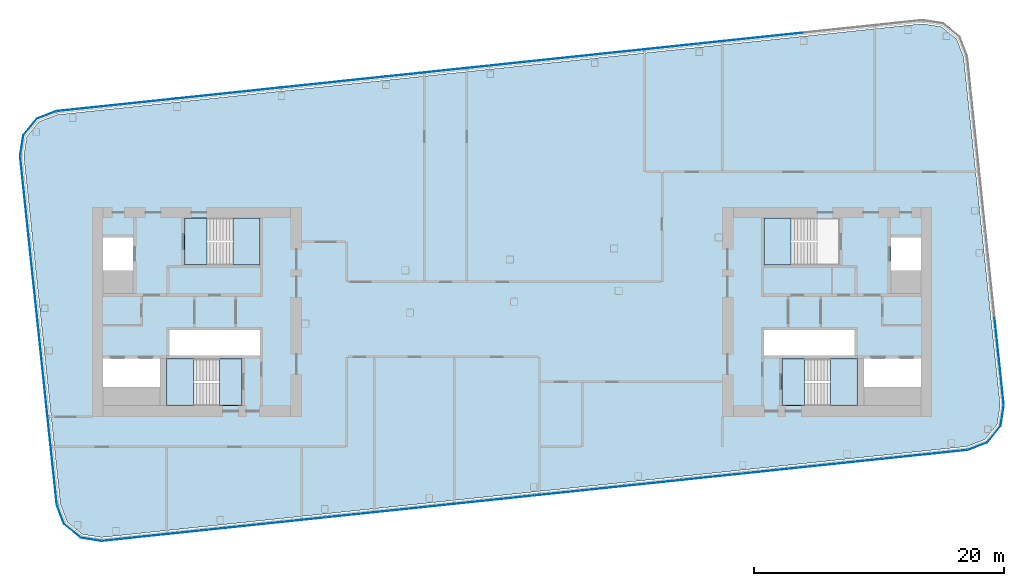
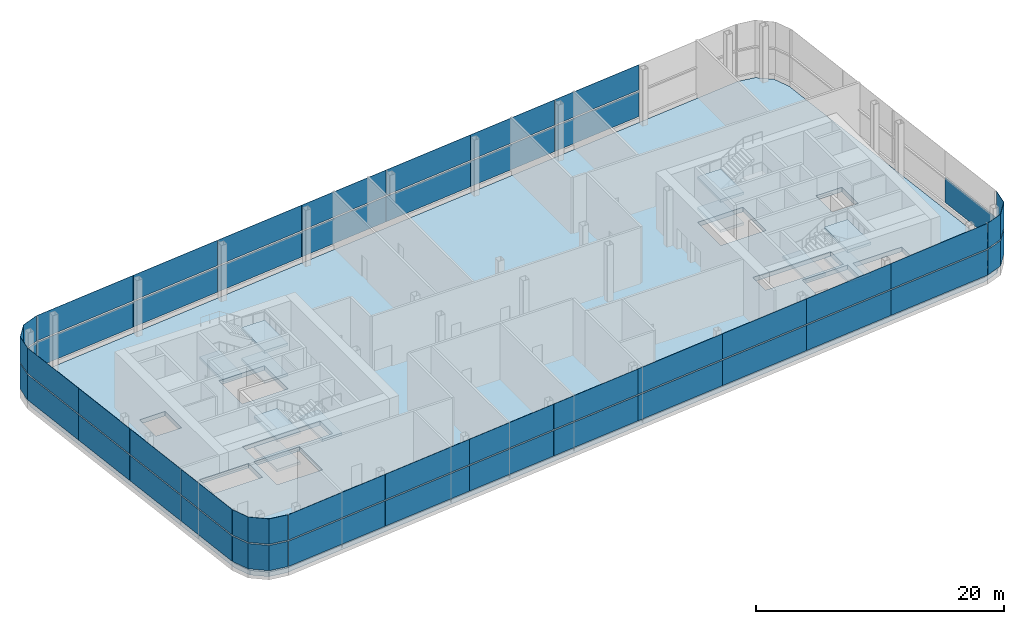
# One storey, part 13 of 35: 45 plates, 12 slabs, 11 elements without a shape of their own.
"""IFC4 building model written with IfcOpenShell, lengths in metres."""

from ifc_helpers import new_model, si_unit, direction, frame, origin, origin_2d, place, context, subcontext, project, spatial, polyline, rectangle, outline, extrude, material, layer, layer_set, type_object, element, aggregate, save


model = new_model("IFC4")

# Units and contexts
model_context = context("Model", 3, precision=1e-05, world=origin(), true_north=direction((0.0, 1.0)))
body_context = subcontext(model_context, "Body", "Model", "MODEL_VIEW")
ifc_project = project(units=[si_unit("LENGTHUNIT", "METRE"), si_unit("AREAUNIT", "SQUARE_METRE"), si_unit("VOLUMEUNIT", "CUBIC_METRE"), si_unit("PLANEANGLEUNIT", "RADIAN"), si_unit("MASSUNIT", "GRAM", prefix="KILO")], contexts=[model_context])

# Site, building, storey
site_placement = place(None, origin())
site = spatial("IfcSite", under=ifc_project, at=site_placement, CompositionType="ELEMENT")
building_placement = place(site_placement, origin())
building = spatial("IfcBuilding", under=site, at=building_placement, Name="Hakoniwa Tower and Hamabe Station Hall", CompositionType="ELEMENT")
storey_placement = place(building_placement, frame((0.0, 0.0, 264.60009765625)))
storey = spatial("IfcBuildingStorey", under=building, at=storey_placement, Name="L75", CompositionType="ELEMENT", Elevation=264.60009765625)

# Stair, slabs
ifc_material_1 = material(Name="Concrete C40", Category="concrete")
stair_type = type_object("IfcStairType", Name="ESCAPE STAIR 1800", PredefinedType="HALF_TURN_STAIR", material=ifc_material_1)
stair_1_placement = place(storey_placement, origin())
stair_1 = element("IfcStair", 1, at=stair_1_placement, inside=storey, type_object=stair_type, Name="Escape stair ST-1 L75", PredefinedType="HALF_TURN_STAIR")
ifc_material_2 = material(Name="Concrete C40", Category="concrete")
ifc_layer_1 = layer(ifc_material_2, 0.25)
ifc_layer_set_1 = layer_set([ifc_layer_1], Name="CORE STAIR LANDING 250")
slab_type_1 = type_object("IfcSlabType", Name="CORE STAIR LANDING 250", PredefinedType="LANDING", material=ifc_layer_set_1)
slab_1_placement = place(storey_placement, frame((0.0, 0.0, 1.25)))
slab_1 = element("IfcSlab", 2, at=slab_1_placement, type_object=slab_type_1, Name="ST-1 landing 1", PredefinedType="LANDING", context=body_context, shape_type="SweptSolid", body=[
    extrude(outline(polyline([(-22.320068359375, 3.75), (-20.14990234375, 3.75), (-20.14990234375, 7.5), (-22.320068359375, 7.5), (-22.320068359375, 3.75)])), origin(), (0.0, 0.0, 1.0), 0.25),
])
slab_2_placement = place(storey_placement, frame((0.0, 0.0, 2.75)))
slab_2 = element("IfcSlab", 3, at=slab_2_placement, type_object=slab_type_1, Name="ST-1 landing 2", PredefinedType="LANDING", context=body_context, shape_type="SweptSolid", body=[
    extrude(outline(polyline([(-26.199951171875, 3.75), (-24.39990234375, 3.75), (-24.39990234375, 7.5), (-26.199951171875, 7.5), (-26.199951171875, 3.75)])), origin(), (0.0, 0.0, 1.0), 0.25),
])
slab_3_placement = place(storey_placement, frame((0.0, 0.0, 4.25)))
slab_3 = element("IfcSlab", 4, at=slab_3_placement, type_object=slab_type_1, Name="ST-1 landing 3", PredefinedType="LANDING", context=body_context, shape_type="SweptSolid", body=[
    extrude(outline(polyline([(-22.320068359375, 3.75), (-20.14990234375, 3.75), (-20.14990234375, 7.5), (-22.320068359375, 7.5), (-22.320068359375, 3.75)])), origin(), (0.0, 0.0, 1.0), 0.25),
])
aggregate(stair_1, [slab_1, slab_2, slab_3])

stair_2_placement = place(storey_placement, origin())
stair_2 = element("IfcStair", 5, at=stair_2_placement, inside=storey, type_object=stair_type, Name="Escape stair ST-2 L75", PredefinedType="HALF_TURN_STAIR")
slab_4_placement = place(storey_placement, frame((0.0, 0.0, 1.25)))
slab_4 = element("IfcSlab", 6, at=slab_4_placement, type_object=slab_type_1, Name="ST-2 landing 1", PredefinedType="LANDING", context=body_context, shape_type="SweptSolid", body=[
    extrude(outline(polyline([(-25.47998046875, -7.5), (-27.64990234375, -7.5), (-27.64990234375, -3.75), (-25.47998046875, -3.75), (-25.47998046875, -7.5)])), origin(), (0.0, 0.0, 1.0), 0.25),
])
slab_5_placement = place(storey_placement, frame((0.0, 0.0, 2.75)))
slab_5 = element("IfcSlab", 7, at=slab_5_placement, type_object=slab_type_1, Name="ST-2 landing 2", PredefinedType="LANDING", context=body_context, shape_type="SweptSolid", body=[
    extrude(outline(polyline([(-21.60009765625, -7.5), (-23.39990234375, -7.5), (-23.39990234375, -3.75), (-21.60009765625, -3.75), (-21.60009765625, -7.5)])), origin(), (0.0, 0.0, 1.0), 0.25),
])
slab_6_placement = place(storey_placement, frame((0.0, 0.0, 4.25)))
slab_6 = element("IfcSlab", 8, at=slab_6_placement, type_object=slab_type_1, Name="ST-2 landing 3", PredefinedType="LANDING", context=body_context, shape_type="SweptSolid", body=[
    extrude(outline(polyline([(-25.47998046875, -7.5), (-27.64990234375, -7.5), (-27.64990234375, -3.75), (-25.47998046875, -3.75), (-25.47998046875, -7.5)])), origin(), (0.0, 0.0, 1.0), 0.25),
])
aggregate(stair_2, [slab_4, slab_5, slab_6])

stair_3_placement = place(storey_placement, origin())
stair_3 = element("IfcStair", 9, at=stair_3_placement, inside=storey, type_object=stair_type, Name="Escape stair ST-3 L75", PredefinedType="HALF_TURN_STAIR")
slab_7_placement = place(storey_placement, frame((0.0, 0.0, 1.25)))
slab_7 = element("IfcSlab", 10, at=slab_7_placement, type_object=slab_type_1, Name="ST-3 landing 1", PredefinedType="LANDING", context=body_context, shape_type="SweptSolid", body=[
    extrude(outline(polyline([(22.320068359375, 3.75), (20.14990234375, 3.75), (20.14990234375, 7.5), (22.320068359375, 7.5), (22.320068359375, 3.75)])), origin(), (0.0, 0.0, 1.0), 0.25),
])
slab_8_placement = place(storey_placement, frame((0.0, 0.0, 4.25)))
slab_8 = element("IfcSlab", 11, at=slab_8_placement, type_object=slab_type_1, Name="ST-3 landing 3", PredefinedType="LANDING", context=body_context, shape_type="SweptSolid", body=[
    extrude(outline(polyline([(22.320068359375, 3.75), (20.14990234375, 3.75), (20.14990234375, 7.5), (22.320068359375, 7.5), (22.320068359375, 3.75)])), origin(), (0.0, 0.0, 1.0), 0.25),
])
aggregate(stair_3, [slab_7, slab_8])

stair_4_placement = place(storey_placement, origin())
stair_4 = element("IfcStair", 12, at=stair_4_placement, inside=storey, type_object=stair_type, Name="Escape stair ST-4 L75", PredefinedType="HALF_TURN_STAIR")
slab_9_placement = place(storey_placement, frame((0.0, 0.0, 1.25)))
slab_9 = element("IfcSlab", 13, at=slab_9_placement, type_object=slab_type_1, Name="ST-4 landing 1", PredefinedType="LANDING", context=body_context, shape_type="SweptSolid", body=[
    extrude(outline(polyline([(25.47998046875, -7.5), (27.64990234375, -7.5), (27.64990234375, -3.75), (25.47998046875, -3.75), (25.47998046875, -7.5)])), origin(), (0.0, 0.0, 1.0), 0.25),
])
slab_10_placement = place(storey_placement, frame((0.0, 0.0, 2.75)))
slab_10 = element("IfcSlab", 14, at=slab_10_placement, type_object=slab_type_1, Name="ST-4 landing 2", PredefinedType="LANDING", context=body_context, shape_type="SweptSolid", body=[
    extrude(outline(polyline([(21.60009765625, -7.5), (23.39990234375, -7.5), (23.39990234375, -3.75), (21.60009765625, -3.75), (21.60009765625, -7.5)])), origin(), (0.0, 0.0, 1.0), 0.25),
])
slab_11_placement = place(storey_placement, frame((0.0, 0.0, 4.25)))
slab_11 = element("IfcSlab", 15, at=slab_11_placement, type_object=slab_type_1, Name="ST-4 landing 3", PredefinedType="LANDING", context=body_context, shape_type="SweptSolid", body=[
    extrude(outline(polyline([(25.47998046875, -7.5), (27.64990234375, -7.5), (27.64990234375, -3.75), (25.47998046875, -3.75), (25.47998046875, -7.5)])), origin(), (0.0, 0.0, 1.0), 0.25),
])
aggregate(stair_4, [slab_9, slab_10, slab_11])

# Curtain wall, plate
ifc_material_3 = material(Name="Dark low-e laminated glass", Category="glass")
ifc_layer_2 = layer(ifc_material_3, 0.199951171875)
ifc_layer_set_2 = layer_set([ifc_layer_2], Name="CW-1 UNITISED GUEST")
curtain_wall_type = type_object("IfcCurtainWallType", Name="CW-1 UNITISED GUEST", PredefinedType="NOTDEFINED", material=ifc_layer_set_2)
curtain_wall_1_placement = place(storey_placement, origin())
curtain_wall_1 = element("IfcCurtainWall", 16, at=curtain_wall_1_placement, inside=storey, type_object=curtain_wall_type, Name="CW-1 curtain wall", PredefinedType="NOTDEFINED")
ifc_material_4 = material(Name="Dark low-e laminated glass", Category="glass")
ifc_layer_3 = layer(ifc_material_4, 0.028076171875)
ifc_layer_set_3 = layer_set([ifc_layer_3], Name="CW-1 GLASS UNIT")
plate_type = type_object("IfcPlateType", Name="CW-1 GLASS UNIT", PredefinedType="CURTAIN_PANEL", material=ifc_layer_set_3)
plate_1_placement = place(storey_placement, frame((38.97802734375, -3.990966796875, 0.35009765625), z_axis=(0.0, 0.0, 1.0), x_axis=(-0.104528468631, 0.994521894805, 0.0)))
plate_1 = element("IfcPlate", 17, at=plate_1_placement, type_object=plate_type, Name="CW-1 glass unit", PredefinedType="CURTAIN_PANEL", context=body_context, shape_type="SweptSolid", body=[
    extrude(rectangle(XDim=6.999755859375, YDim=0.028076171875, at=origin_2d()), origin(), (0.0, 0.0, 1.0), 2.489990234375),
])
aggregate(curtain_wall_1, [plate_1])

# Curtain wall, plates
curtain_wall_2_placement = place(storey_placement, origin())
curtain_wall_2 = element("IfcCurtainWall", 18, at=curtain_wall_2_placement, inside=storey, type_object=curtain_wall_type, Name="CW-1 curtain wall", PredefinedType="NOTDEFINED")
plate_2_placement = place(storey_placement, frame((19.078125, 21.886474609375, 0.35009765625), z_axis=(0.0, 0.0, 1.0), x_axis=(-0.994521895272, -0.104528464188, 0.0)))
plate_2 = element("IfcPlate", 19, at=plate_2_placement, type_object=plate_type, Name="CW-1 glass unit", PredefinedType="CURTAIN_PANEL", context=body_context, shape_type="SweptSolid", body=[
    extrude(rectangle(XDim=8.3798828125, YDim=0.028076171875, at=origin_2d()), origin(), (0.0, 0.0, 1.0), 2.489990234375),
])
plate_3_placement = place(storey_placement, frame((19.078125, 21.886474609375, 2.9599609375), z_axis=(0.0, 0.0, 1.0), x_axis=(-0.994521895272, -0.104528464188, 0.0)))
plate_3 = element("IfcPlate", 20, at=plate_3_placement, type_object=plate_type, Name="CW-1 glass unit", PredefinedType="CURTAIN_PANEL", context=body_context, shape_type="SweptSolid", body=[
    extrude(rectangle(XDim=8.3798828125, YDim=0.028076171875, at=origin_2d()), origin(), (0.0, 0.0, 1.0), 2.489990234375),
])
plate_4_placement = place(storey_placement, frame((10.72412109375, 21.00830078125, 0.35009765625), z_axis=(0.0, 0.0, 1.0), x_axis=(-0.994521895272, -0.104528464188, 0.0)))
plate_4 = element("IfcPlate", 21, at=plate_4_placement, type_object=plate_type, Name="CW-1 glass unit", PredefinedType="CURTAIN_PANEL", context=body_context, shape_type="SweptSolid", body=[
    extrude(rectangle(XDim=8.3798828125, YDim=0.028076171875, at=origin_2d()), origin(), (0.0, 0.0, 1.0), 2.489990234375),
])
plate_5_placement = place(storey_placement, frame((10.72412109375, 21.00830078125, 2.9599609375), z_axis=(0.0, 0.0, 1.0), x_axis=(-0.994521895272, -0.104528464188, 0.0)))
plate_5 = element("IfcPlate", 22, at=plate_5_placement, type_object=plate_type, Name="CW-1 glass unit", PredefinedType="CURTAIN_PANEL", context=body_context, shape_type="SweptSolid", body=[
    extrude(rectangle(XDim=8.3798828125, YDim=0.028076171875, at=origin_2d()), origin(), (0.0, 0.0, 1.0), 2.489990234375),
])
plate_6_placement = place(storey_placement, frame((2.3701171875, 20.13037109375, 0.35009765625), z_axis=(0.0, 0.0, 1.0), x_axis=(-0.994521895272, -0.104528464188, 0.0)))
plate_6 = element("IfcPlate", 23, at=plate_6_placement, type_object=plate_type, Name="CW-1 glass unit", PredefinedType="CURTAIN_PANEL", context=body_context, shape_type="SweptSolid", body=[
    extrude(rectangle(XDim=8.3798828125, YDim=0.028076171875, at=origin_2d()), origin(), (0.0, 0.0, 1.0), 2.489990234375),
])
plate_7_placement = place(storey_placement, frame((2.3701171875, 20.13037109375, 2.9599609375), z_axis=(0.0, 0.0, 1.0), x_axis=(-0.994521895272, -0.104528464188, 0.0)))
plate_7 = element("IfcPlate", 24, at=plate_7_placement, type_object=plate_type, Name="CW-1 glass unit", PredefinedType="CURTAIN_PANEL", context=body_context, shape_type="SweptSolid", body=[
    extrude(rectangle(XDim=8.3798828125, YDim=0.028076171875, at=origin_2d()), origin(), (0.0, 0.0, 1.0), 2.489990234375),
])
plate_8_placement = place(storey_placement, frame((-5.98388671875, 19.252197265625, 0.35009765625), z_axis=(0.0, 0.0, 1.0), x_axis=(-0.994521895272, -0.104528464188, 0.0)))
plate_8 = element("IfcPlate", 25, at=plate_8_placement, type_object=plate_type, Name="CW-1 glass unit", PredefinedType="CURTAIN_PANEL", context=body_context, shape_type="SweptSolid", body=[
    extrude(rectangle(XDim=8.3798828125, YDim=0.028076171875, at=origin_2d()), origin(), (0.0, 0.0, 1.0), 2.489990234375),
])
plate_9_placement = place(storey_placement, frame((-5.98388671875, 19.252197265625, 2.9599609375), z_axis=(0.0, 0.0, 1.0), x_axis=(-0.994521895272, -0.104528464188, 0.0)))
plate_9 = element("IfcPlate", 26, at=plate_9_placement, type_object=plate_type, Name="CW-1 glass unit", PredefinedType="CURTAIN_PANEL", context=body_context, shape_type="SweptSolid", body=[
    extrude(rectangle(XDim=8.3798828125, YDim=0.028076171875, at=origin_2d()), origin(), (0.0, 0.0, 1.0), 2.489990234375),
])
plate_10_placement = place(storey_placement, frame((-14.337890625, 18.374267578125, 0.35009765625), z_axis=(0.0, 0.0, 1.0), x_axis=(-0.994521895272, -0.104528464188, 0.0)))
plate_10 = element("IfcPlate", 27, at=plate_10_placement, type_object=plate_type, Name="CW-1 glass unit", PredefinedType="CURTAIN_PANEL", context=body_context, shape_type="SweptSolid", body=[
    extrude(rectangle(XDim=8.3798828125, YDim=0.028076171875, at=origin_2d()), origin(), (0.0, 0.0, 1.0), 2.489990234375),
])
plate_11_placement = place(storey_placement, frame((-14.337890625, 18.374267578125, 2.9599609375), z_axis=(0.0, 0.0, 1.0), x_axis=(-0.994521895272, -0.104528464188, 0.0)))
plate_11 = element("IfcPlate", 28, at=plate_11_placement, type_object=plate_type, Name="CW-1 glass unit", PredefinedType="CURTAIN_PANEL", context=body_context, shape_type="SweptSolid", body=[
    extrude(rectangle(XDim=8.3798828125, YDim=0.028076171875, at=origin_2d()), origin(), (0.0, 0.0, 1.0), 2.489990234375),
])
plate_12_placement = place(storey_placement, frame((-22.69189453125, 17.49609375, 0.35009765625), z_axis=(0.0, 0.0, 1.0), x_axis=(-0.994521895272, -0.104528464188, 0.0)))
plate_12 = element("IfcPlate", 29, at=plate_12_placement, type_object=plate_type, Name="CW-1 glass unit", PredefinedType="CURTAIN_PANEL", context=body_context, shape_type="SweptSolid", body=[
    extrude(rectangle(XDim=8.3798828125, YDim=0.028076171875, at=origin_2d()), origin(), (0.0, 0.0, 1.0), 2.489990234375),
])
plate_13_placement = place(storey_placement, frame((-22.69189453125, 17.49609375, 2.9599609375), z_axis=(0.0, 0.0, 1.0), x_axis=(-0.994521895272, -0.104528464188, 0.0)))
plate_13 = element("IfcPlate", 30, at=plate_13_placement, type_object=plate_type, Name="CW-1 glass unit", PredefinedType="CURTAIN_PANEL", context=body_context, shape_type="SweptSolid", body=[
    extrude(rectangle(XDim=8.3798828125, YDim=0.028076171875, at=origin_2d()), origin(), (0.0, 0.0, 1.0), 2.489990234375),
])
plate_14_placement = place(storey_placement, frame((-31.662109375, 16.553466796875, 0.35009765625), z_axis=(0.0, 0.0, 1.0), x_axis=(-0.994521895272, -0.104528464188, 0.0)))
plate_14 = element("IfcPlate", 31, at=plate_14_placement, type_object=plate_type, Name="CW-1 glass unit", PredefinedType="CURTAIN_PANEL", context=body_context, shape_type="SweptSolid", body=[
    extrude(rectangle(XDim=9.619384765625, YDim=0.028076171875, at=origin_2d()), origin(), (0.0, 0.0, 1.0), 2.489990234375),
])
plate_15_placement = place(storey_placement, frame((-31.662109375, 16.553466796875, 2.9599609375), z_axis=(0.0, 0.0, 1.0), x_axis=(-0.994521895272, -0.104528464188, 0.0)))
plate_15 = element("IfcPlate", 32, at=plate_15_placement, type_object=plate_type, Name="CW-1 glass unit", PredefinedType="CURTAIN_PANEL", context=body_context, shape_type="SweptSolid", body=[
    extrude(rectangle(XDim=9.619384765625, YDim=0.028076171875, at=origin_2d()), origin(), (0.0, 0.0, 1.0), 2.489990234375),
])
aggregate(curtain_wall_2, [plate_2, plate_3, plate_4, plate_5, plate_6, plate_7, plate_8, plate_9, plate_10, plate_11, plate_12, plate_13, plate_14, plate_15])

curtain_wall_3_placement = place(storey_placement, origin())
curtain_wall_3 = element("IfcCurtainWall", 33, at=curtain_wall_3_placement, inside=storey, type_object=curtain_wall_type, Name="CW-1 curtain wall", PredefinedType="NOTDEFINED")
plate_16_placement = place(storey_placement, frame((0.0, 0.0, 0.349853515625)))
plate_16 = element("IfcPlate", 34, at=plate_16_placement, type_object=plate_type, Name="CW-1 curved corner unit", PredefinedType="CURTAIN_PANEL", context=body_context, shape_type="SweptSolid", body=[
    extrude(outline(polyline([(-36.494384765625, 16.049072265625), (-38.0185546875, 15.464111328125), (-39.09716796875, 14.13232421875), (-39.3525390625, 12.51953125), (-39.324951171875, 12.51513671875), (-39.070556640625, 14.120361328125), (-38.001708984375, 15.440673828125), (-36.484375, 16.02294921875), (-36.494384765625, 16.049072265625)])), origin(), (0.0, 0.0, 1.0), 2.489990234375),
])
plate_17_placement = place(storey_placement, frame((0.0, 0.0, 2.9599609375)))
plate_17 = element("IfcPlate", 35, at=plate_17_placement, type_object=plate_type, Name="CW-1 curved corner unit", PredefinedType="CURTAIN_PANEL", context=body_context, shape_type="SweptSolid", body=[
    extrude(outline(polyline([(-36.494384765625, 16.049072265625), (-38.0185546875, 15.464111328125), (-39.09716796875, 14.13232421875), (-39.3525390625, 12.51953125), (-39.324951171875, 12.51513671875), (-39.070556640625, 14.120361328125), (-38.001708984375, 15.440673828125), (-36.484375, 16.02294921875), (-36.494384765625, 16.049072265625)])), origin(), (0.0, 0.0, 1.0), 2.489990234375),
])
aggregate(curtain_wall_3, [plate_16, plate_17])

curtain_wall_4_placement = place(storey_placement, origin())
curtain_wall_4 = element("IfcCurtainWall", 36, at=curtain_wall_4_placement, inside=storey, type_object=curtain_wall_type, Name="CW-1 curtain wall", PredefinedType="NOTDEFINED")
plate_18_placement = place(storey_placement, frame((-38.97802734375, 8.990966796875, 0.35009765625), z_axis=(0.0, 0.0, 1.0), x_axis=(0.104528468631, -0.994521894805, 0.0)))
plate_18 = element("IfcPlate", 37, at=plate_18_placement, type_object=plate_type, Name="CW-1 glass unit", PredefinedType="CURTAIN_PANEL", context=body_context, shape_type="SweptSolid", body=[
    extrude(rectangle(XDim=6.999755859375, YDim=0.028076171875, at=origin_2d()), origin(), (0.0, 0.0, 1.0), 2.489990234375),
])
plate_19_placement = place(storey_placement, frame((-38.97802734375, 8.990966796875, 2.9599609375), z_axis=(0.0, 0.0, 1.0), x_axis=(0.104528468631, -0.994521894805, 0.0)))
plate_19 = element("IfcPlate", 38, at=plate_19_placement, type_object=plate_type, Name="CW-1 glass unit", PredefinedType="CURTAIN_PANEL", context=body_context, shape_type="SweptSolid", body=[
    extrude(rectangle(XDim=6.999755859375, YDim=0.028076171875, at=origin_2d()), origin(), (0.0, 0.0, 1.0), 2.489990234375),
])
plate_20_placement = place(storey_placement, frame((-38.244140625, 2.009521484375, 0.35009765625), z_axis=(0.0, 0.0, 1.0), x_axis=(0.104528468631, -0.994521894805, 0.0)))
plate_20 = element("IfcPlate", 39, at=plate_20_placement, type_object=plate_type, Name="CW-1 glass unit", PredefinedType="CURTAIN_PANEL", context=body_context, shape_type="SweptSolid", body=[
    extrude(rectangle(XDim=6.999755859375, YDim=0.028076171875, at=origin_2d()), origin(), (0.0, 0.0, 1.0), 2.489990234375),
])
plate_21_placement = place(storey_placement, frame((-38.244140625, 2.009521484375, 2.9599609375), z_axis=(0.0, 0.0, 1.0), x_axis=(0.104528468631, -0.994521894805, 0.0)))
plate_21 = element("IfcPlate", 40, at=plate_21_placement, type_object=plate_type, Name="CW-1 glass unit", PredefinedType="CURTAIN_PANEL", context=body_context, shape_type="SweptSolid", body=[
    extrude(rectangle(XDim=6.999755859375, YDim=0.028076171875, at=origin_2d()), origin(), (0.0, 0.0, 1.0), 2.489990234375),
])
plate_22_placement = place(storey_placement, frame((-37.510498046875, -4.9716796875, 0.35009765625), z_axis=(0.0, 0.0, 1.0), x_axis=(0.104528468631, -0.994521894805, 0.0)))
plate_22 = element("IfcPlate", 41, at=plate_22_placement, type_object=plate_type, Name="CW-1 glass unit", PredefinedType="CURTAIN_PANEL", context=body_context, shape_type="SweptSolid", body=[
    extrude(rectangle(XDim=6.999755859375, YDim=0.028076171875, at=origin_2d()), origin(), (0.0, 0.0, 1.0), 2.489990234375),
])
plate_23_placement = place(storey_placement, frame((-37.510498046875, -4.9716796875, 2.9599609375), z_axis=(0.0, 0.0, 1.0), x_axis=(0.104528468631, -0.994521894805, 0.0)))
plate_23 = element("IfcPlate", 42, at=plate_23_placement, type_object=plate_type, Name="CW-1 glass unit", PredefinedType="CURTAIN_PANEL", context=body_context, shape_type="SweptSolid", body=[
    extrude(rectangle(XDim=6.999755859375, YDim=0.028076171875, at=origin_2d()), origin(), (0.0, 0.0, 1.0), 2.489990234375),
])
plate_24_placement = place(storey_placement, frame((-36.776611328125, -11.953125, 0.35009765625), z_axis=(0.0, 0.0, 1.0), x_axis=(0.104528468631, -0.994521894805, 0.0)))
plate_24 = element("IfcPlate", 43, at=plate_24_placement, type_object=plate_type, Name="CW-1 glass unit", PredefinedType="CURTAIN_PANEL", context=body_context, shape_type="SweptSolid", body=[
    extrude(rectangle(XDim=6.999755859375, YDim=0.028076171875, at=origin_2d()), origin(), (0.0, 0.0, 1.0), 2.489990234375),
])
plate_25_placement = place(storey_placement, frame((-36.776611328125, -11.953125, 2.9599609375), z_axis=(0.0, 0.0, 1.0), x_axis=(0.104528468631, -0.994521894805, 0.0)))
plate_25 = element("IfcPlate", 44, at=plate_25_placement, type_object=plate_type, Name="CW-1 glass unit", PredefinedType="CURTAIN_PANEL", context=body_context, shape_type="SweptSolid", body=[
    extrude(rectangle(XDim=6.999755859375, YDim=0.028076171875, at=origin_2d()), origin(), (0.0, 0.0, 1.0), 2.489990234375),
])
aggregate(curtain_wall_4, [plate_18, plate_19, plate_20, plate_21, plate_22, plate_23, plate_24, plate_25])

curtain_wall_5_placement = place(storey_placement, origin())
curtain_wall_5 = element("IfcCurtainWall", 45, at=curtain_wall_5_placement, inside=storey, type_object=curtain_wall_type, Name="CW-1 curtain wall", PredefinedType="NOTDEFINED")
plate_26_placement = place(storey_placement, frame((0.0, 0.0, 0.349853515625)))
plate_26 = element("IfcPlate", 46, at=plate_26_placement, type_object=plate_type, Name="CW-1 curved corner unit", PredefinedType="CURTAIN_PANEL", context=body_context, shape_type="SweptSolid", body=[
    extrude(outline(polyline([(-36.409423828125, -15.482421875), (-35.82421875, -17.0068359375), (-34.492431640625, -18.085205078125), (-32.8798828125, -18.340576171875), (-32.87548828125, -18.31298828125), (-34.480712890625, -18.058837890625), (-35.80078125, -16.98974609375), (-36.38330078125, -15.472412109375), (-36.409423828125, -15.482421875)])), origin(), (0.0, 0.0, 1.0), 2.489990234375),
])
plate_27_placement = place(storey_placement, frame((0.0, 0.0, 2.9599609375)))
plate_27 = element("IfcPlate", 47, at=plate_27_placement, type_object=plate_type, Name="CW-1 curved corner unit", PredefinedType="CURTAIN_PANEL", context=body_context, shape_type="SweptSolid", body=[
    extrude(outline(polyline([(-36.409423828125, -15.482421875), (-35.82421875, -17.0068359375), (-34.492431640625, -18.085205078125), (-32.8798828125, -18.340576171875), (-32.87548828125, -18.31298828125), (-34.480712890625, -18.058837890625), (-35.80078125, -16.98974609375), (-36.38330078125, -15.472412109375), (-36.409423828125, -15.482421875)])), origin(), (0.0, 0.0, 1.0), 2.489990234375),
])
aggregate(curtain_wall_5, [plate_26, plate_27])

curtain_wall_6_placement = place(storey_placement, origin())
curtain_wall_6 = element("IfcCurtainWall", 48, at=curtain_wall_6_placement, inside=storey, type_object=curtain_wall_type, Name="CW-1 curtain wall", PredefinedType="NOTDEFINED")
plate_28_placement = place(storey_placement, frame((-28.04833984375, -17.829345703125, 0.35009765625), z_axis=(0.0, 0.0, 1.0), x_axis=(0.994521895272, 0.104528464188, 0.0)))
plate_28 = element("IfcPlate", 49, at=plate_28_placement, type_object=plate_type, Name="CW-1 glass unit", PredefinedType="CURTAIN_PANEL", context=body_context, shape_type="SweptSolid", body=[
    extrude(rectangle(XDim=9.619384765625, YDim=0.028076171875, at=origin_2d()), origin(), (0.0, 0.0, 1.0), 2.489990234375),
])
plate_29_placement = place(storey_placement, frame((-28.04833984375, -17.829345703125, 2.9599609375), z_axis=(0.0, 0.0, 1.0), x_axis=(0.994521895272, 0.104528464188, 0.0)))
plate_29 = element("IfcPlate", 50, at=plate_29_placement, type_object=plate_type, Name="CW-1 glass unit", PredefinedType="CURTAIN_PANEL", context=body_context, shape_type="SweptSolid", body=[
    extrude(rectangle(XDim=9.619384765625, YDim=0.028076171875, at=origin_2d()), origin(), (0.0, 0.0, 1.0), 2.489990234375),
])
plate_30_placement = place(storey_placement, frame((-19.078125, -16.886474609375, 0.35009765625), z_axis=(0.0, 0.0, 1.0), x_axis=(0.994521895272, 0.104528464188, 0.0)))
plate_30 = element("IfcPlate", 51, at=plate_30_placement, type_object=plate_type, Name="CW-1 glass unit", PredefinedType="CURTAIN_PANEL", context=body_context, shape_type="SweptSolid", body=[
    extrude(rectangle(XDim=8.3798828125, YDim=0.028076171875, at=origin_2d()), origin(), (0.0, 0.0, 1.0), 2.489990234375),
])
plate_31_placement = place(storey_placement, frame((-19.078125, -16.886474609375, 2.9599609375), z_axis=(0.0, 0.0, 1.0), x_axis=(0.994521895272, 0.104528464188, 0.0)))
plate_31 = element("IfcPlate", 52, at=plate_31_placement, type_object=plate_type, Name="CW-1 glass unit", PredefinedType="CURTAIN_PANEL", context=body_context, shape_type="SweptSolid", body=[
    extrude(rectangle(XDim=8.3798828125, YDim=0.028076171875, at=origin_2d()), origin(), (0.0, 0.0, 1.0), 2.489990234375),
])
plate_32_placement = place(storey_placement, frame((-10.72412109375, -16.00830078125, 0.35009765625), z_axis=(0.0, 0.0, 1.0), x_axis=(0.994521895272, 0.104528464188, 0.0)))
plate_32 = element("IfcPlate", 53, at=plate_32_placement, type_object=plate_type, Name="CW-1 glass unit", PredefinedType="CURTAIN_PANEL", context=body_context, shape_type="SweptSolid", body=[
    extrude(rectangle(XDim=8.3798828125, YDim=0.028076171875, at=origin_2d()), origin(), (0.0, 0.0, 1.0), 2.489990234375),
])
plate_33_placement = place(storey_placement, frame((-10.72412109375, -16.00830078125, 2.9599609375), z_axis=(0.0, 0.0, 1.0), x_axis=(0.994521895272, 0.104528464188, 0.0)))
plate_33 = element("IfcPlate", 54, at=plate_33_placement, type_object=plate_type, Name="CW-1 glass unit", PredefinedType="CURTAIN_PANEL", context=body_context, shape_type="SweptSolid", body=[
    extrude(rectangle(XDim=8.3798828125, YDim=0.028076171875, at=origin_2d()), origin(), (0.0, 0.0, 1.0), 2.489990234375),
])
plate_34_placement = place(storey_placement, frame((-2.3701171875, -15.13037109375, 0.35009765625), z_axis=(0.0, 0.0, 1.0), x_axis=(0.994521895272, 0.104528464188, 0.0)))
plate_34 = element("IfcPlate", 55, at=plate_34_placement, type_object=plate_type, Name="CW-1 glass unit", PredefinedType="CURTAIN_PANEL", context=body_context, shape_type="SweptSolid", body=[
    extrude(rectangle(XDim=8.3798828125, YDim=0.028076171875, at=origin_2d()), origin(), (0.0, 0.0, 1.0), 2.489990234375),
])
plate_35_placement = place(storey_placement, frame((-2.3701171875, -15.13037109375, 2.9599609375), z_axis=(0.0, 0.0, 1.0), x_axis=(0.994521895272, 0.104528464188, 0.0)))
plate_35 = element("IfcPlate", 56, at=plate_35_placement, type_object=plate_type, Name="CW-1 glass unit", PredefinedType="CURTAIN_PANEL", context=body_context, shape_type="SweptSolid", body=[
    extrude(rectangle(XDim=8.3798828125, YDim=0.028076171875, at=origin_2d()), origin(), (0.0, 0.0, 1.0), 2.489990234375),
])
plate_36_placement = place(storey_placement, frame((5.98388671875, -14.252197265625, 0.35009765625), z_axis=(0.0, 0.0, 1.0), x_axis=(0.994521895272, 0.104528464188, 0.0)))
plate_36 = element("IfcPlate", 57, at=plate_36_placement, type_object=plate_type, Name="CW-1 glass unit", PredefinedType="CURTAIN_PANEL", context=body_context, shape_type="SweptSolid", body=[
    extrude(rectangle(XDim=8.3798828125, YDim=0.028076171875, at=origin_2d()), origin(), (0.0, 0.0, 1.0), 2.489990234375),
])
plate_37_placement = place(storey_placement, frame((5.98388671875, -14.252197265625, 2.9599609375), z_axis=(0.0, 0.0, 1.0), x_axis=(0.994521895272, 0.104528464188, 0.0)))
plate_37 = element("IfcPlate", 58, at=plate_37_placement, type_object=plate_type, Name="CW-1 glass unit", PredefinedType="CURTAIN_PANEL", context=body_context, shape_type="SweptSolid", body=[
    extrude(rectangle(XDim=8.3798828125, YDim=0.028076171875, at=origin_2d()), origin(), (0.0, 0.0, 1.0), 2.489990234375),
])
plate_38_placement = place(storey_placement, frame((14.337890625, -13.374267578125, 0.35009765625), z_axis=(0.0, 0.0, 1.0), x_axis=(0.994521895272, 0.104528464188, 0.0)))
plate_38 = element("IfcPlate", 59, at=plate_38_placement, type_object=plate_type, Name="CW-1 glass unit", PredefinedType="CURTAIN_PANEL", context=body_context, shape_type="SweptSolid", body=[
    extrude(rectangle(XDim=8.3798828125, YDim=0.028076171875, at=origin_2d()), origin(), (0.0, 0.0, 1.0), 2.489990234375),
])
plate_39_placement = place(storey_placement, frame((14.337890625, -13.374267578125, 2.9599609375), z_axis=(0.0, 0.0, 1.0), x_axis=(0.994521895272, 0.104528464188, 0.0)))
plate_39 = element("IfcPlate", 60, at=plate_39_placement, type_object=plate_type, Name="CW-1 glass unit", PredefinedType="CURTAIN_PANEL", context=body_context, shape_type="SweptSolid", body=[
    extrude(rectangle(XDim=8.3798828125, YDim=0.028076171875, at=origin_2d()), origin(), (0.0, 0.0, 1.0), 2.489990234375),
])
plate_40_placement = place(storey_placement, frame((22.69189453125, -12.49609375, 0.35009765625), z_axis=(0.0, 0.0, 1.0), x_axis=(0.994521895272, 0.104528464188, 0.0)))
plate_40 = element("IfcPlate", 61, at=plate_40_placement, type_object=plate_type, Name="CW-1 glass unit", PredefinedType="CURTAIN_PANEL", context=body_context, shape_type="SweptSolid", body=[
    extrude(rectangle(XDim=8.3798828125, YDim=0.028076171875, at=origin_2d()), origin(), (0.0, 0.0, 1.0), 2.489990234375),
])
plate_41_placement = place(storey_placement, frame((22.69189453125, -12.49609375, 2.9599609375), z_axis=(0.0, 0.0, 1.0), x_axis=(0.994521895272, 0.104528464188, 0.0)))
plate_41 = element("IfcPlate", 62, at=plate_41_placement, type_object=plate_type, Name="CW-1 glass unit", PredefinedType="CURTAIN_PANEL", context=body_context, shape_type="SweptSolid", body=[
    extrude(rectangle(XDim=8.3798828125, YDim=0.028076171875, at=origin_2d()), origin(), (0.0, 0.0, 1.0), 2.489990234375),
])
plate_42_placement = place(storey_placement, frame((31.662109375, -11.553466796875, 0.35009765625), z_axis=(0.0, 0.0, 1.0), x_axis=(0.994521895272, 0.104528464188, 0.0)))
plate_42 = element("IfcPlate", 63, at=plate_42_placement, type_object=plate_type, Name="CW-1 glass unit", PredefinedType="CURTAIN_PANEL", context=body_context, shape_type="SweptSolid", body=[
    extrude(rectangle(XDim=9.619384765625, YDim=0.028076171875, at=origin_2d()), origin(), (0.0, 0.0, 1.0), 2.489990234375),
])
plate_43_placement = place(storey_placement, frame((31.662109375, -11.553466796875, 2.9599609375), z_axis=(0.0, 0.0, 1.0), x_axis=(0.994521895272, 0.104528464188, 0.0)))
plate_43 = element("IfcPlate", 64, at=plate_43_placement, type_object=plate_type, Name="CW-1 glass unit", PredefinedType="CURTAIN_PANEL", context=body_context, shape_type="SweptSolid", body=[
    extrude(rectangle(XDim=9.619384765625, YDim=0.028076171875, at=origin_2d()), origin(), (0.0, 0.0, 1.0), 2.489990234375),
])
aggregate(curtain_wall_6, [plate_28, plate_29, plate_30, plate_31, plate_32, plate_33, plate_34, plate_35, plate_36, plate_37, plate_38, plate_39, plate_40, plate_41, plate_42, plate_43])

curtain_wall_7_placement = place(storey_placement, origin())
curtain_wall_7 = element("IfcCurtainWall", 65, at=curtain_wall_7_placement, inside=storey, type_object=curtain_wall_type, Name="CW-1 curtain wall", PredefinedType="NOTDEFINED")
plate_44_placement = place(storey_placement, frame((0.0, 0.0, 0.349853515625)))
plate_44 = element("IfcPlate", 66, at=plate_44_placement, type_object=plate_type, Name="CW-1 curved corner unit", PredefinedType="CURTAIN_PANEL", context=body_context, shape_type="SweptSolid", body=[
    extrude(outline(polyline([(36.494384765625, -11.049072265625), (38.0185546875, -10.464111328125), (39.09716796875, -9.13232421875), (39.3525390625, -7.51953125), (39.324951171875, -7.51513671875), (39.070556640625, -9.120361328125), (38.001708984375, -10.440673828125), (36.484375, -11.02294921875), (36.494384765625, -11.049072265625)])), origin(), (0.0, 0.0, 1.0), 2.489990234375),
])
plate_45_placement = place(storey_placement, frame((0.0, 0.0, 2.9599609375)))
plate_45 = element("IfcPlate", 67, at=plate_45_placement, type_object=plate_type, Name="CW-1 curved corner unit", PredefinedType="CURTAIN_PANEL", context=body_context, shape_type="SweptSolid", body=[
    extrude(outline(polyline([(36.494384765625, -11.049072265625), (38.0185546875, -10.464111328125), (39.09716796875, -9.13232421875), (39.3525390625, -7.51953125), (39.324951171875, -7.51513671875), (39.070556640625, -9.120361328125), (38.001708984375, -10.440673828125), (36.484375, -11.02294921875), (36.494384765625, -11.049072265625)])), origin(), (0.0, 0.0, 1.0), 2.489990234375),
])
aggregate(curtain_wall_7, [plate_44, plate_45])

# Slab
ifc_material_5 = material(Name="Concrete C42", Category="concrete")
ifc_layer_4 = layer(ifc_material_5, 0.449951171875)
ifc_layer_set_4 = layer_set([ifc_layer_4], Name="PT FLAT PLATE 450")
slab_type_2 = type_object("IfcSlabType", Name="PT FLAT PLATE 450", PredefinedType="FLOOR", material=ifc_layer_set_4)
slab_12_placement = place(storey_placement, frame((0.0, 0.0, -0.4501953125)))
element("IfcSlab", 68, at=slab_12_placement, inside=storey, type_object=slab_type_2, Name="Floor slab L75", PredefinedType="FLOOR", context=body_context, shape_type="SweptSolid", body=[
    extrude(outline(polyline([(39.056396484375, -7.47216796875), (36.12939453125, 20.37451171875), (35.572998046875, 21.82421875), (34.3662109375, 22.801513671875), (32.83251953125, 23.04443359375), (-36.38623046875, 15.769287109375), (-37.836181640625, 15.212890625), (-38.8134765625, 14.005859375), (-39.056396484375, 12.47216796875), (-36.12939453125, -15.37451171875), (-35.572998046875, -16.82421875), (-34.3662109375, -17.801513671875), (-32.83251953125, -18.04443359375), (36.38623046875, -10.769287109375), (37.836181640625, -10.212890625), (38.8134765625, -9.005859375), (39.056396484375, -7.47216796875)]), holes=[polyline([(-27.39990234375, -3.5), (-27.39990234375, -1.449951171875), (-20.14990234375, -1.449951171875), (-20.14990234375, -3.5), (-27.39990234375, -3.5)]), polyline([(-32.699951171875, 3.300048828125), (-32.699951171875, 5.949951171875), (-30.300048828125, 5.949951171875), (-30.300048828125, 3.300048828125), (-32.699951171875, 3.300048828125)]), polyline([(-32.699951171875, -6.0), (-32.699951171875, -3.75), (-28.14990234375, -3.75), (-28.14990234375, -6.0), (-32.699951171875, -6.0)]), polyline([(-24.389892578125, 3.75), (-24.389892578125, 7.5), (-20.14990234375, 7.5), (-20.14990234375, 3.75), (-24.389892578125, 3.75)]), polyline([(-27.64990234375, -7.5), (-27.64990234375, -3.75), (-23.409912109375, -3.75), (-23.409912109375, -7.5), (-27.64990234375, -7.5)]), polyline([(20.14990234375, -3.5), (20.14990234375, -1.449951171875), (27.39990234375, -1.449951171875), (27.39990234375, -3.5), (20.14990234375, -3.5)]), polyline([(30.300048828125, 3.300048828125), (30.300048828125, 5.949951171875), (32.699951171875, 5.949951171875), (32.699951171875, 3.300048828125), (30.300048828125, 3.300048828125)]), polyline([(28.14990234375, -6.0), (28.14990234375, -3.75), (32.699951171875, -3.75), (32.699951171875, -6.0), (28.14990234375, -6.0)]), polyline([(20.14990234375, 3.75), (20.14990234375, 7.5), (24.389892578125, 7.5), (24.389892578125, 3.75), (20.14990234375, 3.75)]), polyline([(23.409912109375, -7.5), (23.409912109375, -3.75), (27.64990234375, -3.75), (27.64990234375, -7.5), (23.409912109375, -7.5)])]), origin(), (0.0, 0.0, 1.0), 0.4501953125),
])

save(model, "model.ifc")
